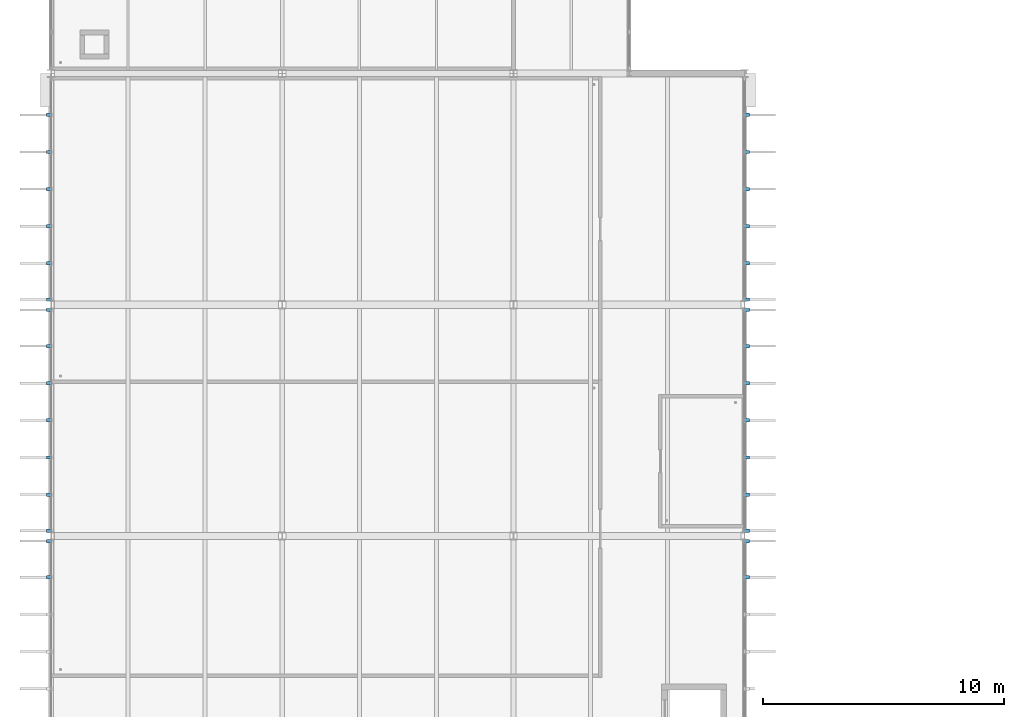
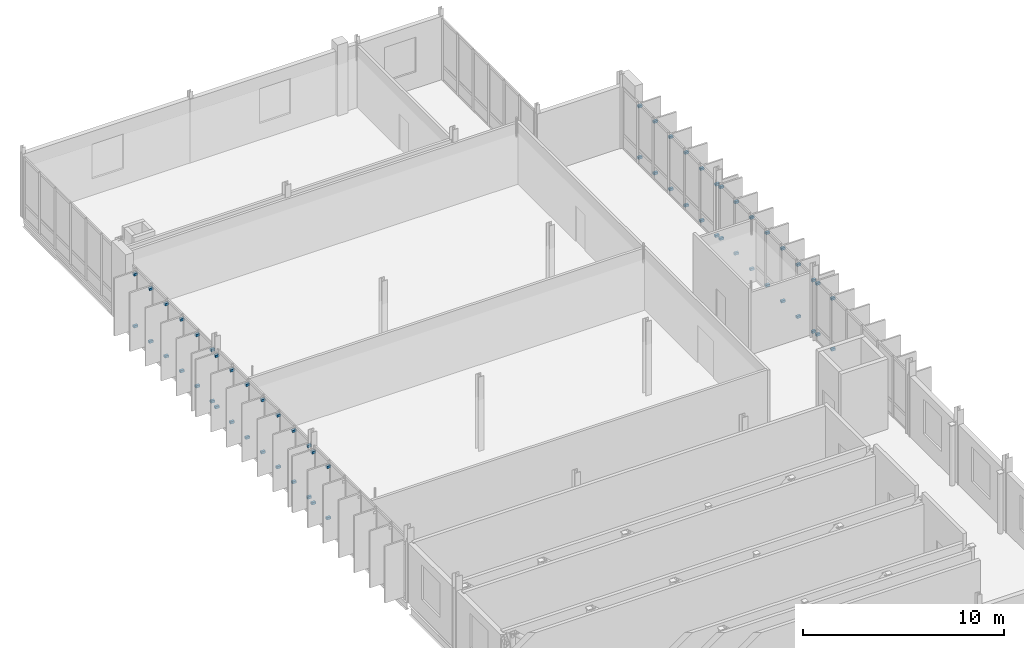
# One storey, part 99 of 110: 60 discrete accessories.
"""IFC4 building model written with IfcOpenShell, lengths in metres."""

import ifcopenshell
import ifcopenshell.guid

model = None  # the IFC model being written
_history = None  # IfcOwnerHistory: only IFC2X3 demands one
_inside = {}  # id of a spatial element -> (the spatial element, [elements in it])
_under = {}  # id of a project, library or spatial element -> (it, [spatial elements below it])
_declared = {}  # id of a project -> (the project, [libraries it declares])
_typed = {}  # id of a type object -> (the type object, [elements of that type])
_made_of = {}  # id of a material, layer set ... -> (it, [elements and type objects made of it])


def new_model(schema):
    """Start an empty IFC model of exactly this schema.

    Asked for "IFC4X3", IfcOpenShell would pick the latest addendum, in which some entities
    have other attributes; the version numbers below select the first issue.
    IFC2X3 requires an IfcOwnerHistory on every rooted entity: one is made here for all.
    """
    global model, _history
    if schema == "IFC4X3":
        model = ifcopenshell.file(schema_version=(4, 3, 0, 0))
    else:
        model = ifcopenshell.file(schema=schema)
    _inside.clear()
    _under.clear()
    _declared.clear()
    _typed.clear()
    _made_of.clear()
    _history = None
    if model.schema == "IFC2X3":
        org = make("IfcOrganization", Name="unknown")
        user = make(
            "IfcPersonAndOrganization",
            ThePerson=make("IfcPerson", FamilyName="unknown"),
            TheOrganization=org,
        )
        app = make(
            "IfcApplication",
            ApplicationDeveloper=org,
            Version="unknown",
            ApplicationFullName="unknown",
            ApplicationIdentifier="unknown",
        )
        _history = make(
            "IfcOwnerHistory",
            OwningUser=user,
            OwningApplication=app,
            ChangeAction="ADDED",
            CreationDate=0,
        )
    return model


def make(cls, **values):
    """One entity of the class cls with the attributes given. An attribute that is None is left unset."""
    return model.create_entity(
        cls, **{name: value for name, value in values.items() if value is not None}
    )


def rooted(cls, **values):
    """An entity with a GlobalId (a new one), such as an element, a storey or a relation."""
    return make(cls, GlobalId=ifcopenshell.guid.new(), OwnerHistory=_history, **values)


def si_unit(unit_type, name, prefix=None):
    """IfcSIUnit, for example si_unit("LENGTHUNIT", "METRE", prefix="MILLI")."""
    return make("IfcSIUnit", UnitType=unit_type, Prefix=prefix, Name=name)


def assignment(units):
    """IfcUnitAssignment: the units of a project."""
    return None if units is None else make("IfcUnitAssignment", Units=units)


def point(xyz):
    """IfcCartesianPoint."""
    return None if xyz is None else make("IfcCartesianPoint", Coordinates=xyz)


def direction(xyz):
    """IfcDirection."""
    return None if xyz is None else make("IfcDirection", DirectionRatios=xyz)


def frame(location, z_axis=None, x_axis=None):
    """IfcAxis2Placement3D, a coordinate frame: its origin and axes. An axis left out is left unset."""
    return make(
        "IfcAxis2Placement3D",
        Location=point(location),
        Axis=direction(z_axis),
        RefDirection=direction(x_axis),
    )


def frame_2d(location, x_axis=None):
    """IfcAxis2Placement2D, a coordinate frame in the plane: its origin and x axis."""
    return make(
        "IfcAxis2Placement2D", Location=point(location), RefDirection=direction(x_axis)
    )


def origin():
    """The frame at (0, 0, 0) with its axes left unset."""
    return frame((0.0, 0.0, 0.0))


def origin_2d():
    """The frame at (0, 0) in the plane with its x axis left unset."""
    return frame_2d((0.0, 0.0))


def place(relative_to, where):
    """IfcLocalPlacement: puts the frame where relative to a parent placement (None: the world)."""
    return make(
        "IfcLocalPlacement", PlacementRelTo=relative_to, RelativePlacement=where
    )


def context(
    kind, dimensions, precision=None, world=None, true_north=None, identifier=None
):
    """IfcGeometricRepresentationContext, for example the 3D "Model" context."""
    return make(
        "IfcGeometricRepresentationContext",
        ContextIdentifier=identifier,
        ContextType=kind,
        CoordinateSpaceDimension=dimensions,
        Precision=precision,
        WorldCoordinateSystem=world,
        TrueNorth=true_north,
    )


def subcontext(parent, identifier, kind, view, scale=None):
    """IfcGeometricRepresentationSubContext, for example "Body" below "Model"."""
    return make(
        "IfcGeometricRepresentationSubContext",
        ContextIdentifier=identifier,
        ContextType=kind,
        ParentContext=parent,
        TargetScale=scale,
        TargetView=view,
    )


def project(units=None, contexts=None):
    """IfcProject with its units and contexts."""
    return rooted(
        "IfcProject",
        Name="project",
        RepresentationContexts=contexts,
        UnitsInContext=assignment(units),
    )


def spatial(cls, under=None, at=None, **own):
    """A site, building, storey or space (cls), placed at a placement, below another one or the project."""
    s = rooted(cls, ObjectPlacement=at, **own)
    if under is not None:
        _under.setdefault(under.id(), (under, []))[1].append(s)
    return s


def profile(cls, at=None, kind="AREA", **sizes):
    """A parametric profile (cls). Its sizes go by their IFC names, for example OverallWidth=200.0."""
    return make(cls, ProfileType=kind, Position=at, **sizes)


def rectangle(**sizes):
    """IfcRectangleProfileDef."""
    return profile("IfcRectangleProfileDef", **sizes)


def extrude(swept, where, along, depth):
    """IfcExtrudedAreaSolid: the profile swept, set in the frame where, extruded along a direction by depth."""
    return make(
        "IfcExtrudedAreaSolid",
        SweptArea=swept,
        Position=where,
        ExtrudedDirection=direction(along),
        Depth=depth,
    )


def shape(context_of_items, identifier, shape_type, items):
    """IfcShapeRepresentation: the items that make up one representation, for example the "Body"."""
    return make(
        "IfcShapeRepresentation",
        ContextOfItems=context_of_items,
        RepresentationIdentifier=identifier,
        RepresentationType=shape_type,
        Items=items,
    )


def material(Name=None, Category=None):
    """IfcMaterial."""
    return make("IfcMaterial", Name=Name, Category=Category)


def made_of(thing, what):
    """Note that an element or type object is made of a material, layer set ...; save() writes the relation."""
    if what is not None:
        _made_of.setdefault(what.id(), (what, []))[1].append(thing)
    return thing


def type_object(cls, material=None, **own):
    """A type object (cls), such as IfcWallType, which elements share."""
    return made_of(rooted(cls, **own), material)


def element(
    cls,
    number,
    at=None,
    inside=None,
    cuts=None,
    type_object=None,
    material=None,
    context=None,
    identifier="Body",
    shape_type=None,
    held_by="IfcProductDefinitionShape",
    body=None,
    shapes=None,
    **own,
):
    """One element of the class cls, such as IfcWall. Its Tag is "e" and its number.

    at: its placement. inside: the storey or other place that contains it. cuts: it is an
    opening in that element (IfcRelVoidsElement). A single representation is given by context,
    identifier, shape_type and body (its items); several are given by shapes. held_by: the class
    of the entity that holds the representations. save() writes the other relations.
    """
    e = rooted(cls, Tag="e%d" % number, ObjectPlacement=at, **own)
    if body is not None:
        shapes = [shape(context, identifier, shape_type, body)]
    if shapes is not None:
        e.Representation = make(held_by, Representations=shapes)
    if inside is not None:
        _inside.setdefault(inside.id(), (inside, []))[1].append(e)
    if cuts is not None:
        rooted(
            "IfcRelVoidsElement", RelatingBuildingElement=cuts, RelatedOpeningElement=e
        )
    if type_object is not None:
        _typed.setdefault(type_object.id(), (type_object, []))[1].append(e)
    return made_of(e, material)


def aggregate(whole, parts):
    """IfcRelAggregates: a whole, such as a stair, and the parts it consists of."""
    return rooted("IfcRelAggregates", RelatingObject=whole, RelatedObjects=parts)


def save(model, path):
    """Write the relations noted so far, then the file.

    IfcRelAggregates (storeys below a building ...), IfcRelContainedInSpatialStructure (elements
    in a storey), IfcRelDefinesByType, IfcRelAssociatesMaterial and IfcRelDeclares: one each for
    every whole, place, type object, material and project.
    """
    for whole, parts in _under.values():
        aggregate(whole, parts)
    for where, things in _inside.values():
        rooted(
            "IfcRelContainedInSpatialStructure",
            RelatedElements=things,
            RelatingStructure=where,
        )
    for kind, things in _typed.values():
        rooted("IfcRelDefinesByType", RelatedObjects=things, RelatingType=kind)
    for what, things in _made_of.values():
        rooted("IfcRelAssociatesMaterial", RelatedObjects=things, RelatingMaterial=what)
    for by, libraries in _declared.values():
        rooted("IfcRelDeclares", RelatingContext=by, RelatedDefinitions=libraries)
    model.write(path)


model = new_model("IFC4")

# Units and contexts
model_context = context("Model", 3, precision=1e-05, world=origin(), true_north=direction((0.0, 1.0)))
body_context = subcontext(model_context, "Body", "Model", "MODEL_VIEW")
ifc_project = project(units=[si_unit("LENGTHUNIT", "METRE"), si_unit("AREAUNIT", "SQUARE_METRE"), si_unit("VOLUMEUNIT", "CUBIC_METRE"), si_unit("PLANEANGLEUNIT", "RADIAN"), si_unit("MASSUNIT", "GRAM", prefix="KILO")], contexts=[model_context])

# Site, building, storey
site_placement = place(None, origin())
site = spatial("IfcSite", under=ifc_project, at=site_placement, CompositionType="ELEMENT")
building_placement = place(site_placement, origin())
building = spatial("IfcBuilding", under=site, at=building_placement, Name="Dunescarp Central Library", CompositionType="ELEMENT")
storey_placement = place(building_placement, frame((0.0, 0.0, 9.60009765625)))
storey = spatial("IfcBuildingStorey", under=building, at=storey_placement, Name="L02", CompositionType="ELEMENT", Elevation=9.60009765625)

# Discrete accessories
ifc_material = material(Name="Stainless steel Grade 316L", Category="steel")
discrete_accessory_type = type_object("IfcDiscreteAccessoryType", Name="ARC-ACC-BRK", PredefinedType="BRACKET", material=ifc_material)
for number, where, z_axis, x_axis, name in (
    (1, (-0.080078125, 68.68310546875, 0.18994140625), (0.0, 0.0, 1.0), (-1.0, 0.0, 0.0), "Fin bracket BRK-FIN-L02-0828-B"),
    (2, (-0.080078125, 68.68310546875, 3.31103515625), (0.0, 0.0, 1.0), (-1.0, 0.0, 0.0), "Fin bracket BRK-FIN-L02-0828-T"),
    (3, (-0.080078125, 70.18505859375, 0.18994140625), (0.0, 0.0, 1.0), (-1.0, 0.0, 0.0), "Fin bracket BRK-FIN-L02-0829-B"),
    (4, (-0.080078125, 70.18505859375, 3.27783203125), (0.0, 0.0, 1.0), (-1.0, 0.0, 0.0), "Fin bracket BRK-FIN-L02-0829-T"),
    (5, (28.8798828125, 70.18505859375, 0.27685546875), (0.0, 0.0, 1.0), (1.0, 0.0, 0.0), "Fin bracket BRK-FIN-L02-0830-B"),
    (6, (28.8798828125, 70.18505859375, 3.3720703125), (0.0, 0.0, 1.0), (1.0, 0.0, 0.0), "Fin bracket BRK-FIN-L02-0830-T"),
    (7, (28.8798828125, 68.68310546875, 0.2900390625), (0.0, 0.0, 1.0), (1.0, 0.0, 0.0), "Fin bracket BRK-FIN-L02-0831-B"),
    (8, (28.8798828125, 68.68310546875, 3.3720703125), (0.0, 0.0, 1.0), (1.0, 0.0, 0.0), "Fin bracket BRK-FIN-L02-0831-T"),
    (9, (-0.080078125, 70.614990234375, 0.27685546875), (0.0, 0.0, 1.0), (-1.0, 0.0, 0.0), "Fin bracket BRK-FIN-L02-0837-B"),
    (10, (-0.080078125, 70.614990234375, 3.40478515625), (0.0, 0.0, 1.0), (-1.0, 0.0, 0.0), "Fin bracket BRK-FIN-L02-0837-T"),
    (11, (-0.080078125, 72.116943359375, 0.2900390625), (0.0, 0.0, 1.0), (-1.0, 0.0, 0.0), "Fin bracket BRK-FIN-L02-0838-B"),
    (12, (-0.080078125, 72.116943359375, 3.40478515625), (0.0, 0.0, 1.0), (-1.0, 0.0, 0.0), "Fin bracket BRK-FIN-L02-0838-T"),
    (13, (-0.080078125, 73.657958984375, 0.27392578125), (0.0, 0.0, 1.0), (-1.0, 0.0, 0.0), "Fin bracket BRK-FIN-L02-0839-B"),
    (14, (-0.080078125, 73.657958984375, 3.40478515625), (0.0, 0.0, 1.0), (-1.0, 0.0, 0.0), "Fin bracket BRK-FIN-L02-0839-T"),
    (15, (-0.080078125, 75.199951171875, 0.23291015625), (0.0, 0.0, 1.0), (-1.0, 0.0, 0.0), "Fin bracket BRK-FIN-L02-0840-B"),
    (16, (-0.080078125, 75.199951171875, 3.40478515625), (0.0, 0.0, 1.0), (-1.0, 0.0, 0.0), "Fin bracket BRK-FIN-L02-0840-T"),
    (17, (-0.080078125, 76.741943359375, 0.18994140625), (0.0, 0.0, 1.0), (-1.0, 0.0, 0.0), "Fin bracket BRK-FIN-L02-0841-B"),
    (18, (-0.080078125, 76.741943359375, 3.39404296875), (0.0, 0.0, 1.0), (-1.0, 0.0, 0.0), "Fin bracket BRK-FIN-L02-0841-T"),
    (19, (-0.080078125, 78.282958984375, 0.18994140625), (0.0, 0.0, 1.0), (-1.0, 0.0, 0.0), "Fin bracket BRK-FIN-L02-0842-B"),
    (20, (-0.080078125, 78.282958984375, 3.34375), (0.0, 0.0, 1.0), (-1.0, 0.0, 0.0), "Fin bracket BRK-FIN-L02-0842-T"),
    (21, (-0.080078125, 79.784912109375, 0.18994140625), (0.0, 0.0, 1.0), (-1.0, 0.0, 0.0), "Fin bracket BRK-FIN-L02-0843-B"),
    (22, (-0.080078125, 79.784912109375, 3.31103515625), (0.0, 0.0, 1.0), (-1.0, 0.0, 0.0), "Fin bracket BRK-FIN-L02-0843-T"),
    (23, (28.8798828125, 79.784912109375, 0.27685546875), (0.0, 0.0, 1.0), (1.0, 0.0, 0.0), "Fin bracket BRK-FIN-L02-0844-B"),
    (24, (28.8798828125, 79.784912109375, 3.40478515625), (0.0, 0.0, 1.0), (1.0, 0.0, 0.0), "Fin bracket BRK-FIN-L02-0844-T"),
    (25, (28.8798828125, 78.282958984375, 0.2900390625), (0.0, 0.0, 1.0), (1.0, 0.0, 0.0), "Fin bracket BRK-FIN-L02-0845-B"),
    (26, (28.8798828125, 78.282958984375, 3.40478515625), (0.0, 0.0, 1.0), (1.0, 0.0, 0.0), "Fin bracket BRK-FIN-L02-0845-T"),
    (27, (28.8798828125, 76.741943359375, 0.27392578125), (0.0, 0.0, 1.0), (1.0, 0.0, 0.0), "Fin bracket BRK-FIN-L02-0846-B"),
    (28, (28.8798828125, 76.741943359375, 3.40478515625), (0.0, 0.0, 1.0), (1.0, 0.0, 0.0), "Fin bracket BRK-FIN-L02-0846-T"),
    (29, (28.8798828125, 75.199951171875, 0.23291015625), (0.0, 0.0, 1.0), (1.0, 0.0, 0.0), "Fin bracket BRK-FIN-L02-0847-B"),
    (30, (28.8798828125, 75.199951171875, 3.40478515625), (0.0, 0.0, 1.0), (1.0, 0.0, 0.0), "Fin bracket BRK-FIN-L02-0847-T"),
    (31, (28.8798828125, 73.657958984375, 0.18994140625), (0.0, 0.0, 1.0), (1.0, 0.0, 0.0), "Fin bracket BRK-FIN-L02-0848-B"),
    (32, (28.8798828125, 73.657958984375, 3.39404296875), (0.0, 0.0, 1.0), (1.0, 0.0, 0.0), "Fin bracket BRK-FIN-L02-0848-T"),
    (33, (28.8798828125, 72.116943359375, 0.18994140625), (0.0, 0.0, 1.0), (1.0, 0.0, 0.0), "Fin bracket BRK-FIN-L02-0849-B"),
    (34, (28.8798828125, 72.116943359375, 3.34375), (0.0, 0.0, 1.0), (1.0, 0.0, 0.0), "Fin bracket BRK-FIN-L02-0849-T"),
    (35, (28.8798828125, 70.614990234375, 0.18994140625), (0.0, 0.0, 1.0), (1.0, 0.0, 0.0), "Fin bracket BRK-FIN-L02-0850-B"),
    (36, (28.8798828125, 70.614990234375, 3.31103515625), (0.0, 0.0, 1.0), (1.0, 0.0, 0.0), "Fin bracket BRK-FIN-L02-0850-T"),
    (37, (-0.080078125, 80.215087890625, 0.27685546875), (0.0, 0.0, 1.0), (-1.0, 0.0, 0.0), "Fin bracket BRK-FIN-L02-0851-B"),
    (38, (-0.080078125, 80.215087890625, 3.40478515625), (0.0, 0.0, 1.0), (-1.0, 0.0, 0.0), "Fin bracket BRK-FIN-L02-0851-T"),
    (39, (-0.080078125, 81.717041015625, 0.2900390625), (0.0, 0.0, 1.0), (-1.0, 0.0, 0.0), "Fin bracket BRK-FIN-L02-0852-B"),
    (40, (-0.080078125, 81.717041015625, 3.40478515625), (0.0, 0.0, 1.0), (-1.0, 0.0, 0.0), "Fin bracket BRK-FIN-L02-0852-T"),
    (41, (-0.080078125, 83.258056640625, 0.27392578125), (0.0, 0.0, 1.0), (-1.0, 0.0, 0.0), "Fin bracket BRK-FIN-L02-0853-B"),
    (42, (-0.080078125, 83.258056640625, 3.40478515625), (0.0, 0.0, 1.0), (-1.0, 0.0, 0.0), "Fin bracket BRK-FIN-L02-0853-T"),
    (43, (-0.080078125, 84.800048828125, 0.23291015625), (0.0, 0.0, 1.0), (-1.0, 0.0, 0.0), "Fin bracket BRK-FIN-L02-0854-B"),
    (44, (-0.080078125, 84.800048828125, 3.40478515625), (0.0, 0.0, 1.0), (-1.0, 0.0, 0.0), "Fin bracket BRK-FIN-L02-0854-T"),
    (45, (-0.080078125, 86.342041015625, 0.18994140625), (0.0, 0.0, 1.0), (-1.0, 0.0, 0.0), "Fin bracket BRK-FIN-L02-0855-B"),
    (46, (-0.080078125, 86.342041015625, 3.39404296875), (0.0, 0.0, 1.0), (-1.0, 0.0, 0.0), "Fin bracket BRK-FIN-L02-0855-T"),
    (47, (-0.080078125, 87.883056640625, 0.18994140625), (0.0, 0.0, 1.0), (-1.0, 0.0, 0.0), "Fin bracket BRK-FIN-L02-0856-B"),
    (48, (-0.080078125, 87.883056640625, 3.34375), (0.0, 0.0, 1.0), (-1.0, 0.0, 0.0), "Fin bracket BRK-FIN-L02-0856-T"),
    (49, (28.8798828125, 87.883056640625, 0.2900390625), (0.0, 0.0, 1.0), (1.0, 0.0, 0.0), "Fin bracket BRK-FIN-L02-0857-B"),
    (50, (28.8798828125, 87.883056640625, 3.40478515625), (0.0, 0.0, 1.0), (1.0, 0.0, 0.0), "Fin bracket BRK-FIN-L02-0857-T"),
    (51, (28.8798828125, 86.342041015625, 0.27392578125), (0.0, 0.0, 1.0), (1.0, 0.0, 0.0), "Fin bracket BRK-FIN-L02-0858-B"),
    (52, (28.8798828125, 86.342041015625, 3.40478515625), (0.0, 0.0, 1.0), (1.0, 0.0, 0.0), "Fin bracket BRK-FIN-L02-0858-T"),
    (53, (28.8798828125, 84.800048828125, 0.23291015625), (0.0, 0.0, 1.0), (1.0, 0.0, 0.0), "Fin bracket BRK-FIN-L02-0859-B"),
    (54, (28.8798828125, 84.800048828125, 3.40478515625), (0.0, 0.0, 1.0), (1.0, 0.0, 0.0), "Fin bracket BRK-FIN-L02-0859-T"),
    (55, (28.8798828125, 83.258056640625, 0.18994140625), (0.0, 0.0, 1.0), (1.0, 0.0, 0.0), "Fin bracket BRK-FIN-L02-0860-B"),
    (56, (28.8798828125, 83.258056640625, 3.39404296875), (0.0, 0.0, 1.0), (1.0, 0.0, 0.0), "Fin bracket BRK-FIN-L02-0860-T"),
    (57, (28.8798828125, 81.717041015625, 0.18994140625), (0.0, 0.0, 1.0), (1.0, 0.0, 0.0), "Fin bracket BRK-FIN-L02-0861-B"),
    (58, (28.8798828125, 81.717041015625, 3.34375), (0.0, 0.0, 1.0), (1.0, 0.0, 0.0), "Fin bracket BRK-FIN-L02-0861-T"),
    (59, (28.8798828125, 80.215087890625, 0.18994140625), (0.0, 0.0, 1.0), (1.0, 0.0, 0.0), "Fin bracket BRK-FIN-L02-0862-B"),
    (60, (28.8798828125, 80.215087890625, 3.31103515625), (0.0, 0.0, 1.0), (1.0, 0.0, 0.0), "Fin bracket BRK-FIN-L02-0862-T"),
):
    element("IfcDiscreteAccessory", number, at=place(storey_placement, frame(where, z_axis=z_axis, x_axis=x_axis)), inside=storey, type_object=discrete_accessory_type, Name=name, PredefinedType="BRACKET", context=body_context, shape_type="SweptSolid", body=[
        extrude(rectangle(XDim=0.219970703125, YDim=0.139892578125, at=origin_2d()), origin(), (0.0, 0.0, 1.0), 0.139892578125),
    ])

save(model, "model.ifc")
